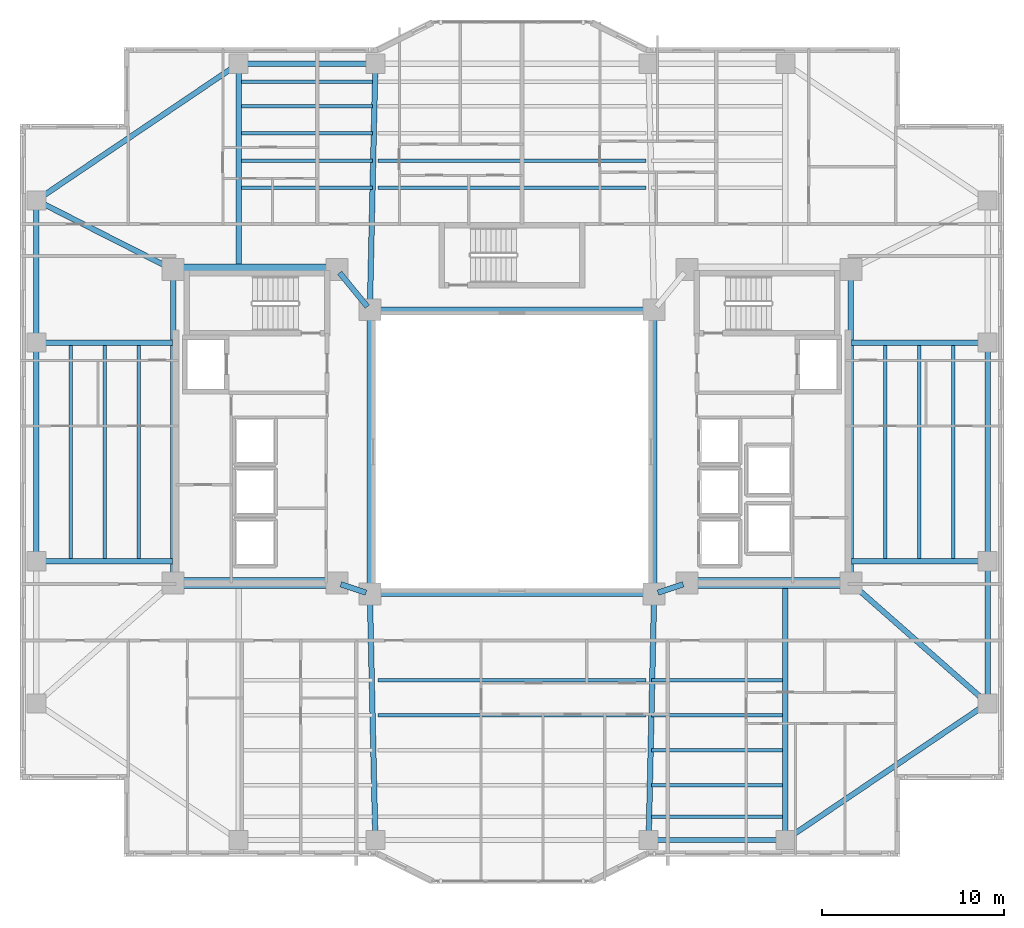
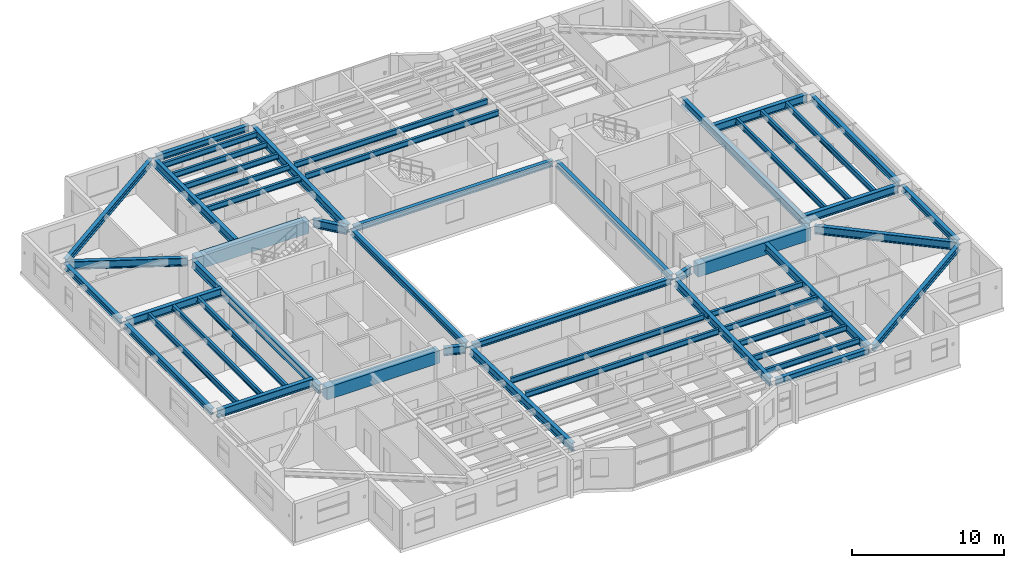
# One storey, part 3 of 19: 51 beams.
"""IFC4 building model written with IfcOpenShell, lengths in metres."""

from ifc_helpers import new_model, si_unit, direction, frame, origin, origin_2d, place, context, subcontext, project, spatial, rectangle, i_section, extrude, material, material_profile, profile_set, type_object, element, save


model = new_model("IFC4")

# Units and contexts
model_context = context("Model", 3, precision=1e-05, world=origin(), true_north=direction((0.0, 1.0)))
body_context = subcontext(model_context, "Body", "Model", "MODEL_VIEW")
ifc_project = project(units=[si_unit("LENGTHUNIT", "METRE"), si_unit("AREAUNIT", "SQUARE_METRE"), si_unit("VOLUMEUNIT", "CUBIC_METRE"), si_unit("PLANEANGLEUNIT", "RADIAN"), si_unit("MASSUNIT", "GRAM", prefix="KILO")], contexts=[model_context])

# Site, building, storey
site_placement = place(None, origin())
site = spatial("IfcSite", under=ifc_project, at=site_placement, CompositionType="ELEMENT")
building_placement = place(site_placement, origin())
building = spatial("IfcBuilding", under=site, at=building_placement, Name="Tarnavaz Court Tower", CompositionType="ELEMENT")
storey_placement = place(building_placement, frame((0.0, 0.0, 81.64990234375)))
storey = spatial("IfcBuildingStorey", under=building, at=storey_placement, Name="L21", CompositionType="ELEMENT", Elevation=81.64990234375)

# Beams
ifc_material_1 = material(Name="Concrete C60/75", Category="concrete")
ifc_material_profile_1 = material_profile(ifc_material_1, rectangle(XDim=0.60009765625, YDim=1.0, at=origin_2d()), Name="RC 600X1000")
ifc_profile_set_1 = profile_set([ifc_material_profile_1], Name="Concrete C60/75")
beam_type_1 = type_object("IfcBeamType", Name="BM-CB1000", PredefinedType="LINTEL", material=ifc_profile_set_1)
for number, where, z_axis, x_axis, name in (
    (1, (-18.3798828125, -7.199951171875, 2.60009765625), (1.0, 0.0, 0.0), (0.0, 1.0, 0.0), "L21 Beam IN-CW-SO-CW-SI"),
    (2, (-18.3798828125, 10.0, 2.60009765625), (1.0, 0.0, 0.0), (0.0, 1.0, 0.0), "L21 Beam IN-CW-NO-CW-NI"),
    (3, (18.3798828125, -7.199951171875, 2.60009765625), (-1.0, 0.0, 0.0), (0.0, -1.0, 0.0), "L21 Beam IN-CE-SO-CE-SI"),
):
    element("IfcBeam", number, at=place(storey_placement, frame(where, z_axis=z_axis, x_axis=x_axis)), inside=storey, type_object=beam_type_1, Name=name, PredefinedType="LINTEL", context=body_context, shape_type="SweptSolid", body=[
        extrude(rectangle(XDim=0.60009765625, YDim=1.0, at=origin_2d()), origin(), (0.0, 0.0, 1.0), 8.559814453125),
    ])
ifc_material_2 = material(Name="Steel S355", Category="steel")
ifc_material_profile_2 = material_profile(ifc_material_2, i_section(OverallWidth=0.300048828125, OverallDepth=0.64990234375, WebThickness=0.01611328125, FlangeThickness=0.031005859375, FilletRadius=0.027099609375, at=origin_2d()), Name="HEB 650")
ifc_profile_set_2 = profile_set([ifc_material_profile_2], Name="Steel S355")
beam_type_2 = type_object("IfcBeamType", Name="BM-G-HEB650", PredefinedType="USERDEFINED", material=ifc_profile_set_2)
for number, where, z_axis, x_axis, name in (
    (4, (-9.391357421875, -7.26953125, 2.775146484375), (0.948666544706, -0.316278021615, 0.0), (0.316278021615, 0.948666544706, 0.0), "L21 Beam IN-CW-SI-IW-SW"),
    (5, (9.391357421875, -7.26953125, 2.775146484375), (-0.948666544706, -0.316278021615, 0.0), (0.316278021615, -0.948666544706, 0.0), "L21 Beam IN-CE-SI-IW-SE"),
):
    element("IfcBeam", number, at=place(storey_placement, frame(where, z_axis=z_axis, x_axis=x_axis)), inside=storey, type_object=beam_type_2, Name=name, ObjectType="GIRDER", PredefinedType="USERDEFINED", context=body_context, shape_type="SweptSolid", body=[
        extrude(i_section(OverallWidth=0.300048828125, OverallDepth=0.64990234375, WebThickness=0.01611328125, FlangeThickness=0.031005859375, FilletRadius=0.027099609375, at=origin_2d()), origin(), (0.0, 0.0, 1.0), 1.457275390625),
    ])
beam_1_placement = place(storey_placement, frame((-9.460693359375, 9.82958984375, 2.775146484375), z_axis=(0.633282058357, -0.773921077735, 0.0), x_axis=(0.773921077735, 0.633282058357, 0.0)))
element("IfcBeam", 6, at=beam_1_placement, inside=storey, type_object=beam_type_2, Name="L21 Beam IN-CW-NI-IW-NW", ObjectType="GIRDER", PredefinedType="USERDEFINED", context=body_context, shape_type="SweptSolid", body=[
    extrude(i_section(OverallWidth=0.300048828125, OverallDepth=0.64990234375, WebThickness=0.01611328125, FlangeThickness=0.031005859375, FilletRadius=0.027099609375, at=origin_2d()), origin(), (0.0, 0.0, 1.0), 2.402587890625),
])
for number, where, z_axis, x_axis, name in (
    (7, (-18.60009765625, -6.97998046875, 2.775146484375), (0.0, 1.0, 0.0), (-1.0, 0.0, 0.0), "L21 Beam IN-CW-SO-CW-NO"),
    (8, (18.60009765625, -6.97998046875, 2.775146484375), (0.0, 1.0, 0.0), (-1.0, 0.0, 0.0), "L21 Beam IN-CE-SO-CE-NO"),
):
    element("IfcBeam", number, at=place(storey_placement, frame(where, z_axis=z_axis, x_axis=x_axis)), inside=storey, type_object=beam_type_2, Name=name, ObjectType="GIRDER", PredefinedType="USERDEFINED", context=body_context, shape_type="SweptSolid", body=[
        extrude(i_section(OverallWidth=0.300048828125, OverallDepth=0.64990234375, WebThickness=0.01611328125, FlangeThickness=0.031005859375, FilletRadius=0.027099609375, at=origin_2d()), origin(), (0.0, 0.0, 1.0), 16.760009765625),
    ])
beam_2_placement = place(storey_placement, frame((-15.0, 10.0400390625, 2.775146484375), z_axis=(0.0, 1.0, 0.0), x_axis=(-1.0, 0.0, 0.0)))
element("IfcBeam", 9, at=beam_2_placement, inside=storey, type_object=beam_type_2, Name="L21 Beam RG-01", ObjectType="GIRDER", PredefinedType="USERDEFINED", context=body_context, shape_type="SweptSolid", body=[
    extrude(i_section(OverallWidth=0.300048828125, OverallDepth=0.64990234375, WebThickness=0.01611328125, FlangeThickness=0.031005859375, FilletRadius=0.027099609375, at=origin_2d()), origin(), (0.0, 0.0, 1.0), 11.0400390625),
])
for number, where, z_axis, x_axis, name in (
    (10, (-7.795166015625, 8.02001953125, 2.775146484375), (0.022221303469, 0.99975307635, 0.0), (-0.99975307635, 0.022221303469, 0.0), "L21 Beam RG-02"),
    (11, (-7.795166015625, -8.02001953125, 2.775146484375), (0.022221303469, -0.99975307635, 0.0), (0.99975307635, 0.022221303469, 0.0), "L21 Beam RG-06"),
    (12, (7.795166015625, -8.02001953125, 2.775146484375), (-0.022221303469, -0.99975307635, 0.0), (0.99975307635, -0.022221303469, 0.0), "L21 Beam RG-07"),
):
    element("IfcBeam", number, at=place(storey_placement, frame(where, z_axis=z_axis, x_axis=x_axis)), inside=storey, type_object=beam_type_2, Name=name, ObjectType="GIRDER", PredefinedType="USERDEFINED", context=body_context, shape_type="SweptSolid", body=[
        extrude(i_section(OverallWidth=0.300048828125, OverallDepth=0.64990234375, WebThickness=0.01611328125, FlangeThickness=0.031005859375, FilletRadius=0.027099609375, at=origin_2d()), origin(), (0.0, 0.0, 1.0), 13.063232421875),
    ])
beam_3_placement = place(storey_placement, frame((15.0, -7.239990234375, 2.775146484375), z_axis=(0.0, -1.0, 0.0), x_axis=(1.0, 0.0, 0.0)))
element("IfcBeam", 13, at=beam_3_placement, inside=storey, type_object=beam_type_2, Name="L21 Beam RG-08", ObjectType="GIRDER", PredefinedType="USERDEFINED", context=body_context, shape_type="SweptSolid", body=[
    extrude(i_section(OverallWidth=0.300048828125, OverallDepth=0.64990234375, WebThickness=0.01611328125, FlangeThickness=0.031005859375, FilletRadius=0.027099609375, at=origin_2d()), origin(), (0.0, 0.0, 1.0), 13.840087890625),
])
for number, where, z_axis, x_axis, name in (
    (14, (18.639892578125, -6.0, 2.775146484375), (1.0, 0.0, 0.0), (0.0, 1.0, 0.0), "L21 Beam RG-09"),
    (15, (18.639892578125, 6.0, 2.775146484375), (1.0, 0.0, 0.0), (0.0, 1.0, 0.0), "L21 Beam RG-10"),
):
    element("IfcBeam", number, at=place(storey_placement, frame(where, z_axis=z_axis, x_axis=x_axis)), inside=storey, type_object=beam_type_2, Name=name, ObjectType="GIRDER", PredefinedType="USERDEFINED", context=body_context, shape_type="SweptSolid", body=[
        extrude(i_section(OverallWidth=0.300048828125, OverallDepth=0.64990234375, WebThickness=0.01611328125, FlangeThickness=0.031005859375, FilletRadius=0.027099609375, at=origin_2d()), origin(), (0.0, 0.0, 1.0), 7.239990234375),
    ])
beam_4_placement = place(storey_placement, frame((18.76513671875, -7.34521484375, 2.775146484375), z_axis=(0.750700332035, -0.660642877417, 0.0), x_axis=(0.660642877417, 0.750700332035, 0.0)))
element("IfcBeam", 16, at=beam_4_placement, inside=storey, type_object=beam_type_2, Name="L21 Beam RG-11", ObjectType="GIRDER", PredefinedType="USERDEFINED", context=body_context, shape_type="SweptSolid", body=[
    extrude(i_section(OverallWidth=0.300048828125, OverallDepth=0.64990234375, WebThickness=0.01611328125, FlangeThickness=0.031005859375, FilletRadius=0.027099609375, at=origin_2d()), origin(), (0.0, 0.0, 1.0), 9.550537109375),
])
for number, where, z_axis, x_axis, name in (
    (17, (-18.639892578125, -6.0, 2.775146484375), (-1.0, 0.0, 0.0), (0.0, -1.0, 0.0), "L21 Beam RG-13"),
    (18, (-18.639892578125, 6.0, 2.775146484375), (-1.0, 0.0, 0.0), (0.0, -1.0, 0.0), "L21 Beam RG-14"),
):
    element("IfcBeam", number, at=place(storey_placement, frame(where, z_axis=z_axis, x_axis=x_axis)), inside=storey, type_object=beam_type_2, Name=name, ObjectType="GIRDER", PredefinedType="USERDEFINED", context=body_context, shape_type="SweptSolid", body=[
        extrude(i_section(OverallWidth=0.300048828125, OverallDepth=0.64990234375, WebThickness=0.01611328125, FlangeThickness=0.031005859375, FilletRadius=0.027099609375, at=origin_2d()), origin(), (0.0, 0.0, 1.0), 7.239990234375),
    ])
beam_5_placement = place(storey_placement, frame((-18.796142578125, 10.099365234375, 2.775146484375), z_axis=(-0.892030669981, 0.451974870776, 0.0), x_axis=(-0.451974870776, -0.892030669981, 0.0)))
element("IfcBeam", 19, at=beam_5_placement, inside=storey, type_object=beam_type_2, Name="L21 Beam RG-16", ObjectType="GIRDER", PredefinedType="USERDEFINED", context=body_context, shape_type="SweptSolid", body=[
    extrude(i_section(OverallWidth=0.300048828125, OverallDepth=0.64990234375, WebThickness=0.01611328125, FlangeThickness=0.031005859375, FilletRadius=0.027099609375, at=origin_2d()), origin(), (0.0, 0.0, 1.0), 7.968017578125),
])
ifc_material_profile_3 = material_profile(ifc_material_2, i_section(OverallWidth=0.18994140625, OverallDepth=0.449951171875, WebThickness=0.009521484375, FlangeThickness=0.0146484375, FilletRadius=0.02099609375, at=origin_2d()), Name="IPE 450")
ifc_profile_set_3 = profile_set([ifc_material_profile_3], Name="Steel S355")
beam_type_3 = type_object("IfcBeamType", Name="BM-J-IPE450", PredefinedType="JOIST", material=ifc_profile_set_3)
beam_6_placement = place(storey_placement, frame((-14.85009765625, 14.493896484375, 2.875), z_axis=(1.0, 0.0, 0.0), x_axis=(0.0, 1.0, 0.0)))
element("IfcBeam", 20, at=beam_6_placement, inside=storey, type_object=beam_type_3, Name="L21 Beam JN1-1", PredefinedType="JOIST", context=body_context, shape_type="SweptSolid", body=[
    extrude(i_section(OverallWidth=0.18994140625, OverallDepth=0.449951171875, WebThickness=0.009521484375, FlangeThickness=0.0146484375, FilletRadius=0.02099609375, at=origin_2d()), origin(), (0.0, 0.0, 1.0), 7.2001953125),
])
for number, where, z_axis, x_axis, name in (
    (21, (-7.35009765625, 14.493896484375, 2.875), (1.0, 0.0, 0.0), (0.0, 1.0, 0.0), "L21 Beam JN1-2"),
    (22, (-7.35009765625, -12.52587890625, 2.875), (1.0, 0.0, 0.0), (0.0, 1.0, 0.0), "L21 Beam JS1-2"),
):
    element("IfcBeam", number, at=place(storey_placement, frame(where, z_axis=z_axis, x_axis=x_axis)), inside=storey, type_object=beam_type_3, Name=name, PredefinedType="JOIST", context=body_context, shape_type="SweptSolid", body=[
        extrude(i_section(OverallWidth=0.18994140625, OverallDepth=0.449951171875, WebThickness=0.009521484375, FlangeThickness=0.0146484375, FilletRadius=0.02099609375, at=origin_2d()), origin(), (0.0, 0.0, 1.0), 14.7001953125),
    ])
for number, where, z_axis, x_axis, name in (
    (23, (7.64990234375, -12.52587890625, 2.875), (1.0, 0.0, 0.0), (0.0, 1.0, 0.0), "L21 Beam JS1-3"),
    (24, (-14.85009765625, 15.988037109375, 2.875), (1.0, 0.0, 0.0), (0.0, 1.0, 0.0), "L21 Beam JN2-1"),
):
    element("IfcBeam", number, at=place(storey_placement, frame(where, z_axis=z_axis, x_axis=x_axis)), inside=storey, type_object=beam_type_3, Name=name, PredefinedType="JOIST", context=body_context, shape_type="SweptSolid", body=[
        extrude(i_section(OverallWidth=0.18994140625, OverallDepth=0.449951171875, WebThickness=0.009521484375, FlangeThickness=0.0146484375, FilletRadius=0.02099609375, at=origin_2d()), origin(), (0.0, 0.0, 1.0), 7.2001953125),
    ])
for number, where, z_axis, x_axis, name in (
    (25, (-7.35009765625, 15.988037109375, 2.875), (1.0, 0.0, 0.0), (0.0, 1.0, 0.0), "L21 Beam JN2-2"),
    (26, (-7.35009765625, -14.451904296875, 2.875), (1.0, 0.0, 0.0), (0.0, 1.0, 0.0), "L21 Beam JS2-2"),
):
    element("IfcBeam", number, at=place(storey_placement, frame(where, z_axis=z_axis, x_axis=x_axis)), inside=storey, type_object=beam_type_3, Name=name, PredefinedType="JOIST", context=body_context, shape_type="SweptSolid", body=[
        extrude(i_section(OverallWidth=0.18994140625, OverallDepth=0.449951171875, WebThickness=0.009521484375, FlangeThickness=0.0146484375, FilletRadius=0.02099609375, at=origin_2d()), origin(), (0.0, 0.0, 1.0), 14.7001953125),
    ])
for number, where, z_axis, x_axis, name in (
    (27, (7.64990234375, -14.451904296875, 2.875), (1.0, 0.0, 0.0), (0.0, 1.0, 0.0), "L21 Beam JS2-3"),
    (28, (-14.85009765625, 17.48193359375, 2.875), (1.0, 0.0, 0.0), (0.0, 1.0, 0.0), "L21 Beam JN3-1"),
    (29, (7.64990234375, -16.3779296875, 2.875), (1.0, 0.0, 0.0), (0.0, 1.0, 0.0), "L21 Beam JS3-3"),
    (30, (-14.85009765625, 18.97607421875, 2.875), (1.0, 0.0, 0.0), (0.0, 1.0, 0.0), "L21 Beam JN4-1"),
    (31, (7.64990234375, -18.303955078125, 2.875), (1.0, 0.0, 0.0), (0.0, 1.0, 0.0), "L21 Beam JS4-3"),
    (32, (-14.85009765625, 20.303955078125, 2.875), (1.0, 0.0, 0.0), (0.0, 1.0, 0.0), "L21 Beam JN5-1"),
    (33, (7.64990234375, -20.01611328125, 2.875), (1.0, 0.0, 0.0), (0.0, 1.0, 0.0), "L21 Beam JS5-3"),
):
    element("IfcBeam", number, at=place(storey_placement, frame(where, z_axis=z_axis, x_axis=x_axis)), inside=storey, type_object=beam_type_3, Name=name, PredefinedType="JOIST", context=body_context, shape_type="SweptSolid", body=[
        extrude(i_section(OverallWidth=0.18994140625, OverallDepth=0.449951171875, WebThickness=0.009521484375, FlangeThickness=0.0146484375, FilletRadius=0.02099609375, at=origin_2d()), origin(), (0.0, 0.0, 1.0), 7.2001953125),
    ])
for number, where, z_axis, x_axis, name in (
    (34, (20.47509765625, -5.9599609375, 2.875), (0.0, 1.0, 0.0), (-1.0, 0.0, 0.0), "L21 Beam JE1"),
    (35, (-20.47509765625, -5.9599609375, 2.875), (0.0, 1.0, 0.0), (-1.0, 0.0, 0.0), "L21 Beam JW1"),
    (36, (22.35009765625, -5.9599609375, 2.875), (0.0, 1.0, 0.0), (-1.0, 0.0, 0.0), "L21 Beam JE2"),
    (37, (-22.35009765625, -5.9599609375, 2.875), (0.0, 1.0, 0.0), (-1.0, 0.0, 0.0), "L21 Beam JW2"),
    (38, (24.22509765625, -5.9599609375, 2.875), (0.0, 1.0, 0.0), (-1.0, 0.0, 0.0), "L21 Beam JE3"),
    (39, (-24.22509765625, -5.9599609375, 2.875), (0.0, 1.0, 0.0), (-1.0, 0.0, 0.0), "L21 Beam JW3"),
):
    element("IfcBeam", number, at=place(storey_placement, frame(where, z_axis=z_axis, x_axis=x_axis)), inside=storey, type_object=beam_type_3, Name=name, PredefinedType="JOIST", context=body_context, shape_type="SweptSolid", body=[
        extrude(i_section(OverallWidth=0.18994140625, OverallDepth=0.449951171875, WebThickness=0.009521484375, FlangeThickness=0.0146484375, FilletRadius=0.02099609375, at=origin_2d()), origin(), (0.0, 0.0, 1.0), 11.919921875),
    ])
ifc_material_profile_4 = material_profile(ifc_material_2, i_section(OverallWidth=0.300048828125, OverallDepth=0.489990234375, WebThickness=0.011962890625, FlangeThickness=0.02294921875, FilletRadius=0.027099609375, at=origin_2d()), Name="HEA 500")
ifc_profile_set_4 = profile_set([ifc_material_profile_4], Name="Steel S355")
beam_type_4 = type_object("IfcBeamType", Name="BM-SP-HEA500", PredefinedType="SPANDREL", material=ifc_profile_set_4)
for number, where, z_axis, x_axis, name in (
    (40, (-7.580078125, -7.800048828125, 2.85498046875), (1.0, 0.0, 0.0), (0.0, 1.0, 0.0), "L21 Beam IN-IW-SW-IW-SE"),
    (41, (-7.580078125, 7.800048828125, 2.85498046875), (1.0, 0.0, 0.0), (0.0, 1.0, 0.0), "L21 Beam IN-IW-NW-IW-NE"),
    (42, (-7.800048828125, -7.580078125, 2.85498046875), (0.0, 1.0, 0.0), (-1.0, 0.0, 0.0), "L21 Beam IN-IW-SW-IW-NW"),
    (43, (7.800048828125, -7.580078125, 2.85498046875), (0.0, 1.0, 0.0), (-1.0, 0.0, 0.0), "L21 Beam IN-IW-SE-IW-NE"),
):
    element("IfcBeam", number, at=place(storey_placement, frame(where, z_axis=z_axis, x_axis=x_axis)), inside=storey, type_object=beam_type_4, Name=name, PredefinedType="SPANDREL", context=body_context, shape_type="SweptSolid", body=[
        extrude(i_section(OverallWidth=0.300048828125, OverallDepth=0.489990234375, WebThickness=0.011962890625, FlangeThickness=0.02294921875, FilletRadius=0.027099609375, at=origin_2d()), origin(), (0.0, 0.0, 1.0), 15.16015625),
    ])
for number, where, z_axis, x_axis, name in (
    (44, (-14.780029296875, 21.300048828125, 2.85498046875), (1.0, 0.0, 0.0), (0.0, 1.0, 0.0), "L21 Beam PR-PN-1-PN-2"),
    (45, (7.719970703125, -21.300048828125, 2.85498046875), (1.0, 0.0, 0.0), (0.0, 1.0, 0.0), "L21 Beam PR-PS-3-PS-4"),
):
    element("IfcBeam", number, at=place(storey_placement, frame(where, z_axis=z_axis, x_axis=x_axis)), inside=storey, type_object=beam_type_4, Name=name, PredefinedType="SPANDREL", context=body_context, shape_type="SweptSolid", body=[
        extrude(i_section(OverallWidth=0.300048828125, OverallDepth=0.489990234375, WebThickness=0.011962890625, FlangeThickness=0.02294921875, FilletRadius=0.027099609375, at=origin_2d()), origin(), (0.0, 0.0, 1.0), 7.06005859375),
    ])
beam_7_placement = place(storey_placement, frame((26.10009765625, -13.580078125, 2.85498046875), z_axis=(0.0, 1.0, 0.0), x_axis=(-1.0, 0.0, 0.0)))
element("IfcBeam", 46, at=beam_7_placement, inside=storey, type_object=beam_type_4, Name="L21 Beam PR-PE-1-PE-2", PredefinedType="SPANDREL", context=body_context, shape_type="SweptSolid", body=[
    extrude(i_section(OverallWidth=0.300048828125, OverallDepth=0.489990234375, WebThickness=0.011962890625, FlangeThickness=0.02294921875, FilletRadius=0.027099609375, at=origin_2d()), origin(), (0.0, 0.0, 1.0), 7.360107421875),
])
for number, where, z_axis, x_axis, name in (
    (47, (26.10009765625, -5.780029296875, 2.85498046875), (0.0, 1.0, 0.0), (-1.0, 0.0, 0.0), "L21 Beam PR-PE-2-PE-3"),
    (48, (-26.10009765625, -5.780029296875, 2.85498046875), (0.0, 1.0, 0.0), (-1.0, 0.0, 0.0), "L21 Beam PR-PW-2-PW-3"),
):
    element("IfcBeam", number, at=place(storey_placement, frame(where, z_axis=z_axis, x_axis=x_axis)), inside=storey, type_object=beam_type_4, Name=name, PredefinedType="SPANDREL", context=body_context, shape_type="SweptSolid", body=[
        extrude(i_section(OverallWidth=0.300048828125, OverallDepth=0.489990234375, WebThickness=0.011962890625, FlangeThickness=0.02294921875, FilletRadius=0.027099609375, at=origin_2d()), origin(), (0.0, 0.0, 1.0), 11.56005859375),
    ])
beam_8_placement = place(storey_placement, frame((-26.10009765625, 6.219970703125, 2.85498046875), z_axis=(0.0, 1.0, 0.0), x_axis=(-1.0, 0.0, 0.0)))
element("IfcBeam", 49, at=beam_8_placement, inside=storey, type_object=beam_type_4, Name="L21 Beam PR-PW-3-PW-4", PredefinedType="SPANDREL", context=body_context, shape_type="SweptSolid", body=[
    extrude(i_section(OverallWidth=0.300048828125, OverallDepth=0.489990234375, WebThickness=0.011962890625, FlangeThickness=0.02294921875, FilletRadius=0.027099609375, at=origin_2d()), origin(), (0.0, 0.0, 1.0), 7.360107421875),
])
for number, where, z_axis, x_axis, name in (
    (50, (25.917724609375, -13.923095703125, 2.85498046875), (-0.828587314918, -0.559859858854, 0.0), (0.559859858854, -0.828587314918, 0.0), "L21 Beam PR-PE-1-PS-4"),
    (51, (-25.917724609375, 13.923095703125, 2.85498046875), (0.828587314918, 0.559859858854, 0.0), (-0.559859858854, 0.828587314918, 0.0), "L21 Beam PR-PW-4-PN-1"),
):
    element("IfcBeam", number, at=place(storey_placement, frame(where, z_axis=z_axis, x_axis=x_axis)), inside=storey, type_object=beam_type_4, Name=name, PredefinedType="SPANDREL", context=body_context, shape_type="SweptSolid", body=[
        extrude(i_section(OverallWidth=0.300048828125, OverallDepth=0.489990234375, WebThickness=0.011962890625, FlangeThickness=0.02294921875, FilletRadius=0.027099609375, at=origin_2d()), origin(), (0.0, 0.0, 1.0), 12.956298828125),
    ])

save(model, "model.ifc")
